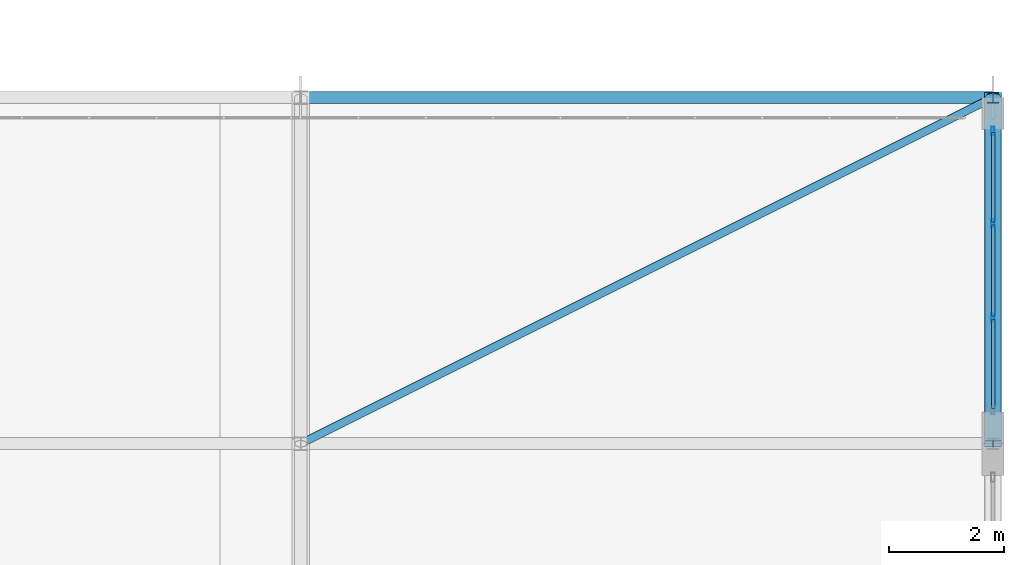
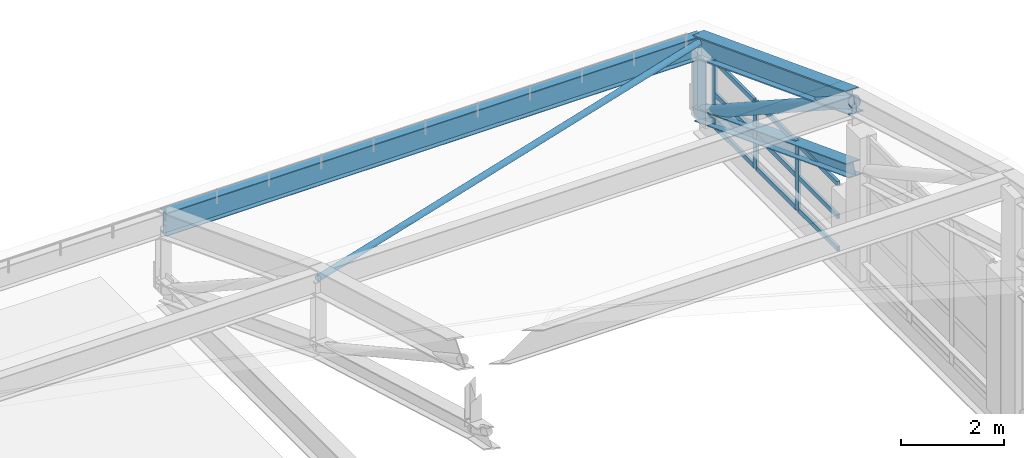
# One storey, part 157 of 204: 18 members, 1 element without a shape of its own.
"""IFC4 building model written with IfcOpenShell, lengths in metres."""

import ifcopenshell
import ifcopenshell.guid

model = None  # the IFC model being written
_history = None  # IfcOwnerHistory: only IFC2X3 demands one
_inside = {}  # id of a spatial element -> (the spatial element, [elements in it])
_under = {}  # id of a project, library or spatial element -> (it, [spatial elements below it])
_declared = {}  # id of a project -> (the project, [libraries it declares])
_typed = {}  # id of a type object -> (the type object, [elements of that type])
_made_of = {}  # id of a material, layer set ... -> (it, [elements and type objects made of it])


def new_model(schema):
    """Start an empty IFC model of exactly this schema.

    Asked for "IFC4X3", IfcOpenShell would pick the latest addendum, in which some entities
    have other attributes; the version numbers below select the first issue.
    IFC2X3 requires an IfcOwnerHistory on every rooted entity: one is made here for all.
    """
    global model, _history
    if schema == "IFC4X3":
        model = ifcopenshell.file(schema_version=(4, 3, 0, 0))
    else:
        model = ifcopenshell.file(schema=schema)
    _inside.clear()
    _under.clear()
    _declared.clear()
    _typed.clear()
    _made_of.clear()
    _history = None
    if model.schema == "IFC2X3":
        org = make("IfcOrganization", Name="unknown")
        user = make(
            "IfcPersonAndOrganization",
            ThePerson=make("IfcPerson", FamilyName="unknown"),
            TheOrganization=org,
        )
        app = make(
            "IfcApplication",
            ApplicationDeveloper=org,
            Version="unknown",
            ApplicationFullName="unknown",
            ApplicationIdentifier="unknown",
        )
        _history = make(
            "IfcOwnerHistory",
            OwningUser=user,
            OwningApplication=app,
            ChangeAction="ADDED",
            CreationDate=0,
        )
    return model


def make(cls, **values):
    """One entity of the class cls with the attributes given. An attribute that is None is left unset."""
    return model.create_entity(
        cls, **{name: value for name, value in values.items() if value is not None}
    )


def rooted(cls, **values):
    """An entity with a GlobalId (a new one), such as an element, a storey or a relation."""
    return make(cls, GlobalId=ifcopenshell.guid.new(), OwnerHistory=_history, **values)


def si_unit(unit_type, name, prefix=None):
    """IfcSIUnit, for example si_unit("LENGTHUNIT", "METRE", prefix="MILLI")."""
    return make("IfcSIUnit", UnitType=unit_type, Prefix=prefix, Name=name)


def assignment(units):
    """IfcUnitAssignment: the units of a project."""
    return None if units is None else make("IfcUnitAssignment", Units=units)


def point(xyz):
    """IfcCartesianPoint."""
    return None if xyz is None else make("IfcCartesianPoint", Coordinates=xyz)


def direction(xyz):
    """IfcDirection."""
    return None if xyz is None else make("IfcDirection", DirectionRatios=xyz)


def frame(location, z_axis=None, x_axis=None):
    """IfcAxis2Placement3D, a coordinate frame: its origin and axes. An axis left out is left unset."""
    return make(
        "IfcAxis2Placement3D",
        Location=point(location),
        Axis=direction(z_axis),
        RefDirection=direction(x_axis),
    )


def frame_2d(location, x_axis=None):
    """IfcAxis2Placement2D, a coordinate frame in the plane: its origin and x axis."""
    return make(
        "IfcAxis2Placement2D", Location=point(location), RefDirection=direction(x_axis)
    )


def origin():
    """The frame at (0, 0, 0) with its axes left unset."""
    return frame((0.0, 0.0, 0.0))


def origin_2d():
    """The frame at (0, 0) in the plane with its x axis left unset."""
    return frame_2d((0.0, 0.0))


def place(relative_to, where):
    """IfcLocalPlacement: puts the frame where relative to a parent placement (None: the world)."""
    return make(
        "IfcLocalPlacement", PlacementRelTo=relative_to, RelativePlacement=where
    )


def context(
    kind, dimensions, precision=None, world=None, true_north=None, identifier=None
):
    """IfcGeometricRepresentationContext, for example the 3D "Model" context."""
    return make(
        "IfcGeometricRepresentationContext",
        ContextIdentifier=identifier,
        ContextType=kind,
        CoordinateSpaceDimension=dimensions,
        Precision=precision,
        WorldCoordinateSystem=world,
        TrueNorth=true_north,
    )


def subcontext(parent, identifier, kind, view, scale=None):
    """IfcGeometricRepresentationSubContext, for example "Body" below "Model"."""
    return make(
        "IfcGeometricRepresentationSubContext",
        ContextIdentifier=identifier,
        ContextType=kind,
        ParentContext=parent,
        TargetScale=scale,
        TargetView=view,
    )


def project(units=None, contexts=None):
    """IfcProject with its units and contexts."""
    return rooted(
        "IfcProject",
        Name="project",
        RepresentationContexts=contexts,
        UnitsInContext=assignment(units),
    )


def spatial(cls, under=None, at=None, **own):
    """A site, building, storey or space (cls), placed at a placement, below another one or the project."""
    s = rooted(cls, ObjectPlacement=at, **own)
    if under is not None:
        _under.setdefault(under.id(), (under, []))[1].append(s)
    return s


def profile(cls, at=None, kind="AREA", **sizes):
    """A parametric profile (cls). Its sizes go by their IFC names, for example OverallWidth=200.0."""
    return make(cls, ProfileType=kind, Position=at, **sizes)


def hollow_rectangle(**sizes):
    """IfcRectangleHollowProfileDef."""
    return profile("IfcRectangleHollowProfileDef", **sizes)


def hollow_circle(**sizes):
    """IfcCircleHollowProfileDef."""
    return profile("IfcCircleHollowProfileDef", **sizes)


def i_section(**sizes):
    """IfcIShapeProfileDef."""
    return profile("IfcIShapeProfileDef", **sizes)


def extrude(swept, where, along, depth):
    """IfcExtrudedAreaSolid: the profile swept, set in the frame where, extruded along a direction by depth."""
    return make(
        "IfcExtrudedAreaSolid",
        SweptArea=swept,
        Position=where,
        ExtrudedDirection=direction(along),
        Depth=depth,
    )


def shape(context_of_items, identifier, shape_type, items):
    """IfcShapeRepresentation: the items that make up one representation, for example the "Body"."""
    return make(
        "IfcShapeRepresentation",
        ContextOfItems=context_of_items,
        RepresentationIdentifier=identifier,
        RepresentationType=shape_type,
        Items=items,
    )


def material(Name=None, Category=None):
    """IfcMaterial."""
    return make("IfcMaterial", Name=Name, Category=Category)


def layer(
    of_material, thickness, ventilated=None, Name=None, Category=None, Priority=None
):
    """IfcMaterialLayer: one layer of a wall or slab, of a material (None: an air gap)."""
    return make(
        "IfcMaterialLayer",
        Material=of_material,
        LayerThickness=thickness,
        IsVentilated=ventilated,
        Name=Name,
        Category=Category,
        Priority=Priority,
    )


def layer_set(layers, Name=None):
    """IfcMaterialLayerSet."""
    return make("IfcMaterialLayerSet", MaterialLayers=layers, LayerSetName=Name)


def material_profile(
    of_material, cross_section, Name=None, Category=None, Priority=None
):
    """IfcMaterialProfile: a cross section and its material."""
    return make(
        "IfcMaterialProfile",
        Name=Name,
        Material=of_material,
        Profile=cross_section,
        Priority=Priority,
        Category=Category,
    )


def profile_set(profiles, Name=None, composite=None):
    """IfcMaterialProfileSet."""
    return make(
        "IfcMaterialProfileSet",
        Name=Name,
        MaterialProfiles=profiles,
        CompositeProfile=composite,
    )


def made_of(thing, what):
    """Note that an element or type object is made of a material, layer set ...; save() writes the relation."""
    if what is not None:
        _made_of.setdefault(what.id(), (what, []))[1].append(thing)
    return thing


def type_object(cls, material=None, **own):
    """A type object (cls), such as IfcWallType, which elements share."""
    return made_of(rooted(cls, **own), material)


def element(
    cls,
    number,
    at=None,
    inside=None,
    cuts=None,
    type_object=None,
    material=None,
    context=None,
    identifier="Body",
    shape_type=None,
    held_by="IfcProductDefinitionShape",
    body=None,
    shapes=None,
    **own,
):
    """One element of the class cls, such as IfcWall. Its Tag is "e" and its number.

    at: its placement. inside: the storey or other place that contains it. cuts: it is an
    opening in that element (IfcRelVoidsElement). A single representation is given by context,
    identifier, shape_type and body (its items); several are given by shapes. held_by: the class
    of the entity that holds the representations. save() writes the other relations.
    """
    e = rooted(cls, Tag="e%d" % number, ObjectPlacement=at, **own)
    if body is not None:
        shapes = [shape(context, identifier, shape_type, body)]
    if shapes is not None:
        e.Representation = make(held_by, Representations=shapes)
    if inside is not None:
        _inside.setdefault(inside.id(), (inside, []))[1].append(e)
    if cuts is not None:
        rooted(
            "IfcRelVoidsElement", RelatingBuildingElement=cuts, RelatedOpeningElement=e
        )
    if type_object is not None:
        _typed.setdefault(type_object.id(), (type_object, []))[1].append(e)
    return made_of(e, material)


def aggregate(whole, parts):
    """IfcRelAggregates: a whole, such as a stair, and the parts it consists of."""
    return rooted("IfcRelAggregates", RelatingObject=whole, RelatedObjects=parts)


def save(model, path):
    """Write the relations noted so far, then the file.

    IfcRelAggregates (storeys below a building ...), IfcRelContainedInSpatialStructure (elements
    in a storey), IfcRelDefinesByType, IfcRelAssociatesMaterial and IfcRelDeclares: one each for
    every whole, place, type object, material and project.
    """
    for whole, parts in _under.values():
        aggregate(whole, parts)
    for where, things in _inside.values():
        rooted(
            "IfcRelContainedInSpatialStructure",
            RelatedElements=things,
            RelatingStructure=where,
        )
    for kind, things in _typed.values():
        rooted("IfcRelDefinesByType", RelatedObjects=things, RelatingType=kind)
    for what, things in _made_of.values():
        rooted("IfcRelAssociatesMaterial", RelatedObjects=things, RelatingMaterial=what)
    for by, libraries in _declared.values():
        rooted("IfcRelDeclares", RelatingContext=by, RelatedDefinitions=libraries)
    model.write(path)


model = new_model("IFC4")

# Units and contexts
model_context = context("Model", 3, precision=1e-05, world=origin(), true_north=direction((0.0, 1.0)))
body_context = subcontext(model_context, "Body", "Model", "MODEL_VIEW")
ifc_project = project(units=[si_unit("LENGTHUNIT", "METRE"), si_unit("AREAUNIT", "SQUARE_METRE"), si_unit("VOLUMEUNIT", "CUBIC_METRE"), si_unit("PLANEANGLEUNIT", "RADIAN"), si_unit("MASSUNIT", "GRAM", prefix="KILO")], contexts=[model_context])

# Site, building, storey
site_placement = place(None, origin())
site = spatial("IfcSite", under=ifc_project, at=site_placement, CompositionType="ELEMENT")
building_placement = place(site_placement, origin())
building = spatial("IfcBuilding", under=site, at=building_placement, Name="Zilviju Railside Exhibition Hall", CompositionType="ELEMENT")
storey_placement = place(building_placement, frame((0.0, 0.0, 21.0)))
storey = spatial("IfcBuildingStorey", under=building, at=storey_placement, Name="RF", CompositionType="ELEMENT", Elevation=21.0)

# Curtain wall, members
ifc_material_1 = material(Name="Thermally broken aluminium-steel triple-glazed curtain wall", Category="steel")
ifc_layer = layer(ifc_material_1, 0.179931640625)
ifc_layer_set = layer_set([ifc_layer], Name="Thermally broken aluminium-steel triple-glazed curtain wall")
curtain_wall_type = type_object("IfcCurtainWallType", Name="CW-BAY-01", PredefinedType="USERDEFINED", material=ifc_layer_set)
curtain_wall_placement = place(storey_placement, origin())
curtain_wall = element("IfcCurtainWall", 1, at=curtain_wall_placement, inside=storey, type_object=curtain_wall_type, Name="North Hall Arch Lower Tympanum Glazing East P9", ObjectType="GLAZED CURTAIN WALL", PredefinedType="USERDEFINED")
ifc_material_2 = material(Name="Thermally broken anodized aluminium mullion", Category="aluminium")
ifc_material_profile_1 = material_profile(ifc_material_2, hollow_rectangle(XDim=0.06005859375, YDim=0.139892578125, WallThickness=0.0048828125, at=origin_2d()), Name="MULLION 140x60x5")
ifc_profile_set_1 = profile_set([ifc_material_profile_1], Name="Thermally broken anodized aluminium mullion")
member_type_1 = type_object("IfcMemberType", Name="CWM-60x140", PredefinedType="MULLION", material=ifc_profile_set_1)
member_1_placement = place(storey_placement, frame((216.0, 137.419921875, -3.60009765625), z_axis=(0.0, 0.0, 1.0), x_axis=(1.0, 0.0, 0.0)))
member_1 = element("IfcMember", 2, at=member_1_placement, type_object=member_type_1, Name="CW-01 mullion 1", PredefinedType="MULLION", context=body_context, shape_type="SweptSolid", body=[
    extrude(hollow_rectangle(XDim=0.06005859375, YDim=0.139892578125, WallThickness=0.0048828125, at=origin_2d()), origin(), (0.0, 0.0, 1.0), 1.60009765625),
])
member_2_placement = place(storey_placement, frame((216.0, 135.816650390625, -3.60009765625), z_axis=(0.0, 0.0, 1.0), x_axis=(1.0, 0.0, 0.0)))
member_2 = element("IfcMember", 3, at=member_2_placement, type_object=member_type_1, Name="CW-01 mullion 2", PredefinedType="MULLION", context=body_context, shape_type="SweptSolid", body=[
    extrude(hollow_rectangle(XDim=0.06005859375, YDim=0.139892578125, WallThickness=0.0048828125, at=origin_2d()), origin(), (0.0, 0.0, 1.0), 1.60009765625),
])
member_3_placement = place(storey_placement, frame((216.0, 134.183349609375, -3.60009765625), z_axis=(0.0, 0.0, 1.0), x_axis=(1.0, 0.0, 0.0)))
member_3 = element("IfcMember", 4, at=member_3_placement, type_object=member_type_1, Name="CW-01 mullion 3", PredefinedType="MULLION", context=body_context, shape_type="SweptSolid", body=[
    extrude(hollow_rectangle(XDim=0.06005859375, YDim=0.139892578125, WallThickness=0.0048828125, at=origin_2d()), origin(), (0.0, 0.0, 1.0), 1.60009765625),
])
ifc_material_3 = material(Name="Thermally broken anodized aluminium transom", Category="aluminium")
ifc_material_profile_2 = material_profile(ifc_material_3, hollow_rectangle(XDim=0.06005859375, YDim=0.110107421875, WallThickness=0.0048828125, at=origin_2d()), Name="TRANSOM 110x60x5")
ifc_profile_set_2 = profile_set([ifc_material_profile_2], Name="Thermally broken anodized aluminium transom")
member_type_2 = type_object("IfcMemberType", Name="CWT-60x110", PredefinedType="USERDEFINED", material=ifc_profile_set_2)
member_4_placement = place(storey_placement, frame((216.0, 137.389892578125, -3.570068359375), z_axis=(0.0, -1.0, 0.0), x_axis=(1.0, 0.0, 0.0)))
member_4 = element("IfcMember", 5, at=member_4_placement, type_object=member_type_2, Name="CW-01 transom 1.1", ObjectType="TRANSOM", PredefinedType="USERDEFINED", context=body_context, shape_type="SweptSolid", body=[
    extrude(hollow_rectangle(XDim=0.06005859375, YDim=0.110107421875, WallThickness=0.0048828125, at=origin_2d()), origin(), (0.0, 0.0, 1.0), 1.543212890625),
])
member_5_placement = place(storey_placement, frame((216.0, 137.389892578125, -2.800048828125), z_axis=(0.0, -1.0, 0.0), x_axis=(1.0, 0.0, 0.0)))
member_5 = element("IfcMember", 6, at=member_5_placement, type_object=member_type_2, Name="CW-01 transom 1.2", ObjectType="TRANSOM", PredefinedType="USERDEFINED", context=body_context, shape_type="SweptSolid", body=[
    extrude(hollow_rectangle(XDim=0.06005859375, YDim=0.110107421875, WallThickness=0.0048828125, at=origin_2d()), origin(), (0.0, 0.0, 1.0), 1.543212890625),
])
member_6_placement = place(storey_placement, frame((216.0, 137.389892578125, -2.030029296875), z_axis=(0.0, -1.0, 0.0), x_axis=(1.0, 0.0, 0.0)))
member_6 = element("IfcMember", 7, at=member_6_placement, type_object=member_type_2, Name="CW-01 transom 1.3", ObjectType="TRANSOM", PredefinedType="USERDEFINED", context=body_context, shape_type="SweptSolid", body=[
    extrude(hollow_rectangle(XDim=0.06005859375, YDim=0.110107421875, WallThickness=0.0048828125, at=origin_2d()), origin(), (0.0, 0.0, 1.0), 1.543212890625),
])
member_7_placement = place(storey_placement, frame((216.0, 135.78662109375, -3.570068359375), z_axis=(0.0, -1.0, 0.0), x_axis=(1.0, 0.0, 0.0)))
member_7 = element("IfcMember", 8, at=member_7_placement, type_object=member_type_2, Name="CW-01 transom 2.1", ObjectType="TRANSOM", PredefinedType="USERDEFINED", context=body_context, shape_type="SweptSolid", body=[
    extrude(hollow_rectangle(XDim=0.06005859375, YDim=0.110107421875, WallThickness=0.0048828125, at=origin_2d()), origin(), (0.0, 0.0, 1.0), 1.5732421875),
])
member_8_placement = place(storey_placement, frame((216.0, 135.78662109375, -2.800048828125), z_axis=(0.0, -1.0, 0.0), x_axis=(1.0, 0.0, 0.0)))
member_8 = element("IfcMember", 9, at=member_8_placement, type_object=member_type_2, Name="CW-01 transom 2.2", ObjectType="TRANSOM", PredefinedType="USERDEFINED", context=body_context, shape_type="SweptSolid", body=[
    extrude(hollow_rectangle(XDim=0.06005859375, YDim=0.110107421875, WallThickness=0.0048828125, at=origin_2d()), origin(), (0.0, 0.0, 1.0), 1.5732421875),
])
member_9_placement = place(storey_placement, frame((216.0, 135.78662109375, -2.030029296875), z_axis=(0.0, -1.0, 0.0), x_axis=(1.0, 0.0, 0.0)))
member_9 = element("IfcMember", 10, at=member_9_placement, type_object=member_type_2, Name="CW-01 transom 2.3", ObjectType="TRANSOM", PredefinedType="USERDEFINED", context=body_context, shape_type="SweptSolid", body=[
    extrude(hollow_rectangle(XDim=0.06005859375, YDim=0.110107421875, WallThickness=0.0048828125, at=origin_2d()), origin(), (0.0, 0.0, 1.0), 1.5732421875),
])
member_10_placement = place(storey_placement, frame((216.0, 134.1533203125, -3.570068359375), z_axis=(0.0, -1.0, 0.0), x_axis=(1.0, 0.0, 0.0)))
member_10 = element("IfcMember", 11, at=member_10_placement, type_object=member_type_2, Name="CW-01 transom 3.1", ObjectType="TRANSOM", PredefinedType="USERDEFINED", context=body_context, shape_type="SweptSolid", body=[
    extrude(hollow_rectangle(XDim=0.06005859375, YDim=0.110107421875, WallThickness=0.0048828125, at=origin_2d()), origin(), (0.0, 0.0, 1.0), 1.543212890625),
])
member_11_placement = place(storey_placement, frame((216.0, 134.1533203125, -2.800048828125), z_axis=(0.0, -1.0, 0.0), x_axis=(1.0, 0.0, 0.0)))
member_11 = element("IfcMember", 12, at=member_11_placement, type_object=member_type_2, Name="CW-01 transom 3.2", ObjectType="TRANSOM", PredefinedType="USERDEFINED", context=body_context, shape_type="SweptSolid", body=[
    extrude(hollow_rectangle(XDim=0.06005859375, YDim=0.110107421875, WallThickness=0.0048828125, at=origin_2d()), origin(), (0.0, 0.0, 1.0), 1.543212890625),
])
member_12_placement = place(storey_placement, frame((216.0, 134.1533203125, -2.030029296875), z_axis=(0.0, -1.0, 0.0), x_axis=(1.0, 0.0, 0.0)))
member_12 = element("IfcMember", 13, at=member_12_placement, type_object=member_type_2, Name="CW-01 transom 3.3", ObjectType="TRANSOM", PredefinedType="USERDEFINED", context=body_context, shape_type="SweptSolid", body=[
    extrude(hollow_rectangle(XDim=0.06005859375, YDim=0.110107421875, WallThickness=0.0048828125, at=origin_2d()), origin(), (0.0, 0.0, 1.0), 1.543212890625),
])
aggregate(curtain_wall, [member_1, member_2, member_3, member_4, member_5, member_6, member_7, member_8, member_9, member_10, member_11, member_12])

# Members
ifc_material_4 = material(Name="Steel S355J2", Category="steel")
ifc_material_profile_3 = material_profile(ifc_material_4, hollow_circle(Radius=0.06982421875, WallThickness=0.00634765625, at=origin_2d()), Name="CHS 139.7x6.3")
ifc_profile_set_3 = profile_set([ifc_material_profile_3], Name="Steel S355J2")
member_type_3 = type_object("IfcMemberType", Name="TR-BR-CHS139", PredefinedType="BRACE", material=ifc_profile_set_3)
member_13_placement = place(storey_placement, frame((204.0, 132.0, 0.311279296875), z_axis=(0.882074493807, 0.441037246903, -0.165622263659), x_axis=(-0.4472135955, 0.894427191, 0.0)))
element("IfcMember", 14, at=member_13_placement, inside=storey, type_object=member_type_3, Name="V2 Roof Wind Brace (204.0..216.0)", PredefinedType="BRACE", context=body_context, shape_type="SweptSolid", body=[
    extrude(hollow_circle(Radius=0.06982421875, WallThickness=0.00634765625, at=origin_2d()), origin(), (0.0, 0.0, 1.0), 13.604248046875),
])
ifc_material_5 = material(Name="Steel S355ML", Category="steel")
ifc_material_profile_4 = material_profile(ifc_material_5, hollow_circle(Radius=0.136474609375, WallThickness=0.012451171875, at=origin_2d()), Name="CHS 273.0x12.5")
ifc_profile_set_4 = profile_set([ifc_material_profile_4], Name="Steel S355ML")
member_type_4 = type_object("IfcMemberType", Name="TR-BR-CHS273", PredefinedType="BRACE", material=ifc_profile_set_4)
member_14_placement = place(storey_placement, frame((216.0, 132.0, 0.291259765625), z_axis=(0.0, 0.838995406637, -0.544138500423), x_axis=(-1.0, 0.0, 0.0)))
element("IfcMember", 15, at=member_14_placement, inside=storey, type_object=member_type_4, Name="V2 Parabolic Arch Web Diagonal X=216.0 P9", PredefinedType="BRACE", context=body_context, shape_type="SweptSolid", body=[
    extrude(hollow_circle(Radius=0.136474609375, WallThickness=0.012451171875, at=origin_2d()), origin(), (0.0, 0.0, 1.0), 7.1513671875),
])
ifc_material_profile_5 = material_profile(ifc_material_5, i_section(OverallWidth=0.300048828125, OverallDepth=0.300048828125, WebThickness=0.010986328125, FlangeThickness=0.01904296875, at=origin_2d()), Name="HEB 300")
ifc_profile_set_5 = profile_set([ifc_material_profile_5], Name="Steel S355ML")
member_type_5 = type_object("IfcMemberType", Name="TR-CH-HEB300", PredefinedType="CHORD", material=ifc_profile_set_5)
member_15_placement = place(storey_placement, frame((216.0, 132.0, -1.30859375), z_axis=(0.0, 0.934187521086, -0.35678239229), x_axis=(-1.0, 0.0, 0.0)))
element("IfcMember", 16, at=member_15_placement, inside=storey, type_object=member_type_5, Name="V2 Parabolic Arch Bottom Chord X=216.0 P9", PredefinedType="CHORD", context=body_context, shape_type="SweptSolid", body=[
    extrude(i_section(OverallWidth=0.300048828125, OverallDepth=0.300048828125, WebThickness=0.010986328125, FlangeThickness=0.01904296875, at=origin_2d()), origin(), (0.0, 0.0, 1.0), 6.422607421875),
])
ifc_material_profile_6 = material_profile(ifc_material_5, i_section(OverallWidth=0.300048828125, OverallDepth=0.5, WebThickness=0.014404296875, FlangeThickness=0.028076171875, at=origin_2d()), Name="HEB 500")
ifc_profile_set_6 = profile_set([ifc_material_profile_6], Name="Steel S355ML")
member_type_6 = type_object("IfcMemberType", Name="TR-CH-HEB500-ML", PredefinedType="CHORD", material=ifc_profile_set_6)
member_16_placement = place(storey_placement, frame((216.0, 132.0, 0.291259765625), z_axis=(0.0, 0.934200190194, -0.356749218138), x_axis=(-1.0, 0.0, 0.0)))
element("IfcMember", 17, at=member_16_placement, inside=storey, type_object=member_type_6, Name="V2 Parabolic Arch Top Chord X=216.0 P9", PredefinedType="CHORD", context=body_context, shape_type="SweptSolid", body=[
    extrude(i_section(OverallWidth=0.300048828125, OverallDepth=0.5, WebThickness=0.014404296875, FlangeThickness=0.028076171875, at=origin_2d()), origin(), (0.0, 0.0, 1.0), 6.422607421875),
])
ifc_material_profile_7 = material_profile(ifc_material_5, i_section(OverallWidth=0.199951171875, OverallDepth=0.18994140625, WebThickness=0.006591796875, FlangeThickness=0.010009765625, at=origin_2d()), Name="HEA 200")
ifc_profile_set_7 = profile_set([ifc_material_profile_7], Name="Steel S355ML")
member_type_7 = type_object("IfcMemberType", Name="TR-POST-HEA200", PredefinedType="POST", material=ifc_profile_set_7)
member_17_placement = place(storey_placement, frame((216.0, 138.0, -3.60009765625), z_axis=(0.0, 0.0, 1.0), x_axis=(1.0, 0.0, 0.0)))
element("IfcMember", 18, at=member_17_placement, inside=storey, type_object=member_type_7, Name="V2 Parabolic Arch Web Post X=216.0 N9", PredefinedType="POST", context=body_context, shape_type="SweptSolid", body=[
    extrude(i_section(OverallWidth=0.199951171875, OverallDepth=0.18994140625, WebThickness=0.006591796875, FlangeThickness=0.010009765625, at=origin_2d()), origin(), (0.0, 0.0, 1.0), 1.60009765625),
])
ifc_material_profile_8 = material_profile(ifc_material_4, i_section(OverallWidth=0.2099609375, OverallDepth=0.550048828125, WebThickness=0.010986328125, FlangeThickness=0.01708984375, at=origin_2d()), Name="IPE 550")
ifc_profile_set_8 = profile_set([ifc_material_profile_8], Name="Steel S355J2")
member_type_8 = type_object("IfcMemberType", Name="TR-PUR-IPE550", PredefinedType="PURLIN", material=ifc_profile_set_8)
member_18_placement = place(storey_placement, frame((204.0, 138.0, -2.011962890625), z_axis=(1.0, 0.0, 0.0), x_axis=(0.0, 1.0, 0.0)))
element("IfcMember", 19, at=member_18_placement, inside=storey, type_object=member_type_8, Name="V2 Barrel Vault Roof Purlin Y=138.0 (204.0..216.0)", PredefinedType="PURLIN", context=body_context, shape_type="SweptSolid", body=[
    extrude(i_section(OverallWidth=0.2099609375, OverallDepth=0.550048828125, WebThickness=0.010986328125, FlangeThickness=0.01708984375, at=origin_2d()), origin(), (0.0, 0.0, 1.0), 12.0),
])

save(model, "model.ifc")
